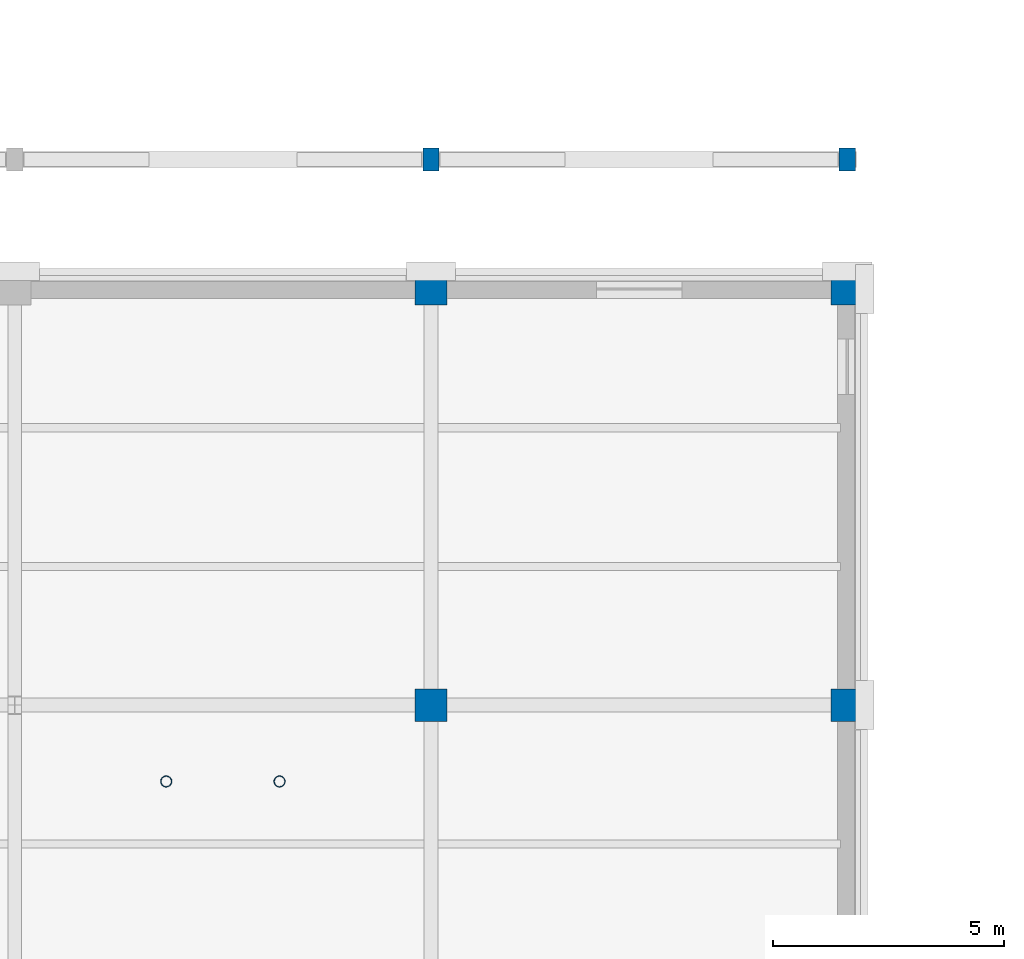
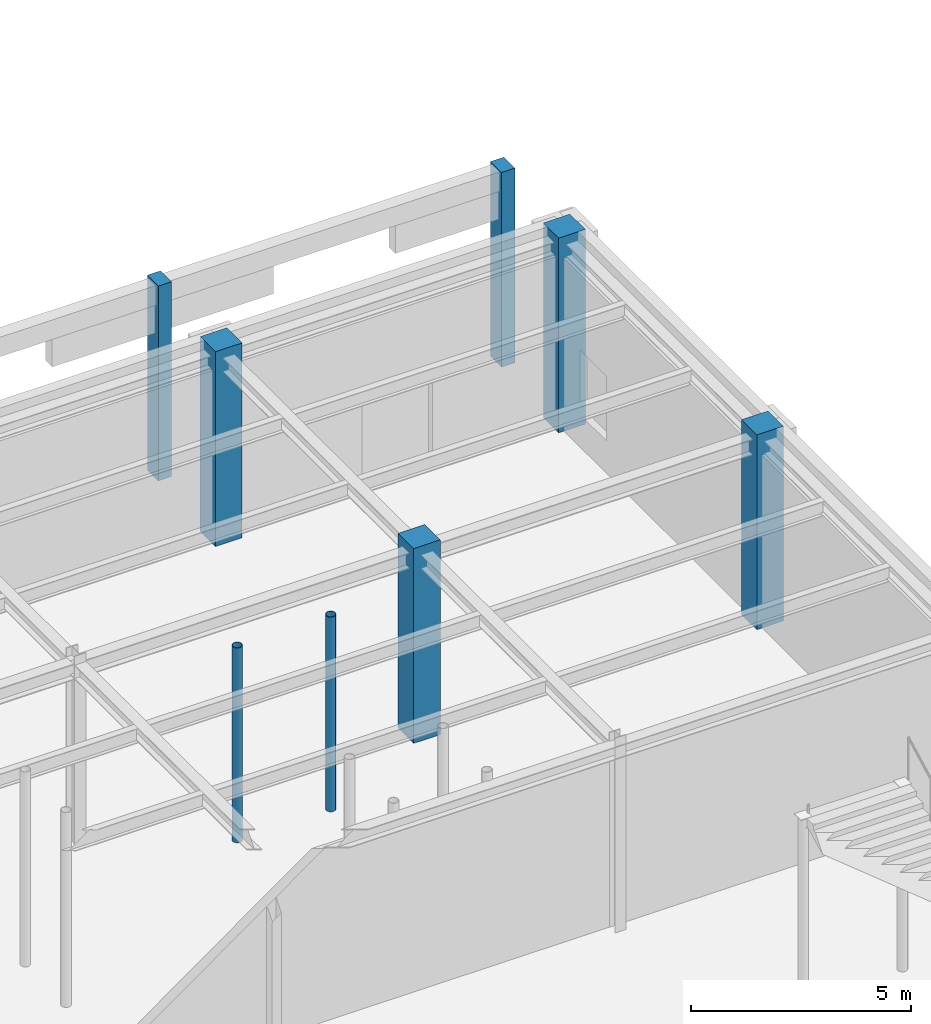
# One storey, part 13 of 77: 8 columns.
"""IFC4 building model written with IfcOpenShell, lengths in metres."""

import ifcopenshell
import ifcopenshell.guid

model = None  # the IFC model being written
_history = None  # IfcOwnerHistory: only IFC2X3 demands one
_inside = {}  # id of a spatial element -> (the spatial element, [elements in it])
_under = {}  # id of a project, library or spatial element -> (it, [spatial elements below it])
_declared = {}  # id of a project -> (the project, [libraries it declares])
_typed = {}  # id of a type object -> (the type object, [elements of that type])
_made_of = {}  # id of a material, layer set ... -> (it, [elements and type objects made of it])


def new_model(schema):
    """Start an empty IFC model of exactly this schema.

    Asked for "IFC4X3", IfcOpenShell would pick the latest addendum, in which some entities
    have other attributes; the version numbers below select the first issue.
    IFC2X3 requires an IfcOwnerHistory on every rooted entity: one is made here for all.
    """
    global model, _history
    if schema == "IFC4X3":
        model = ifcopenshell.file(schema_version=(4, 3, 0, 0))
    else:
        model = ifcopenshell.file(schema=schema)
    _inside.clear()
    _under.clear()
    _declared.clear()
    _typed.clear()
    _made_of.clear()
    _history = None
    if model.schema == "IFC2X3":
        org = make("IfcOrganization", Name="unknown")
        user = make(
            "IfcPersonAndOrganization",
            ThePerson=make("IfcPerson", FamilyName="unknown"),
            TheOrganization=org,
        )
        app = make(
            "IfcApplication",
            ApplicationDeveloper=org,
            Version="unknown",
            ApplicationFullName="unknown",
            ApplicationIdentifier="unknown",
        )
        _history = make(
            "IfcOwnerHistory",
            OwningUser=user,
            OwningApplication=app,
            ChangeAction="ADDED",
            CreationDate=0,
        )
    return model


def make(cls, **values):
    """One entity of the class cls with the attributes given. An attribute that is None is left unset."""
    return model.create_entity(
        cls, **{name: value for name, value in values.items() if value is not None}
    )


def rooted(cls, **values):
    """An entity with a GlobalId (a new one), such as an element, a storey or a relation."""
    return make(cls, GlobalId=ifcopenshell.guid.new(), OwnerHistory=_history, **values)


def si_unit(unit_type, name, prefix=None):
    """IfcSIUnit, for example si_unit("LENGTHUNIT", "METRE", prefix="MILLI")."""
    return make("IfcSIUnit", UnitType=unit_type, Prefix=prefix, Name=name)


def assignment(units):
    """IfcUnitAssignment: the units of a project."""
    return None if units is None else make("IfcUnitAssignment", Units=units)


def point(xyz):
    """IfcCartesianPoint."""
    return None if xyz is None else make("IfcCartesianPoint", Coordinates=xyz)


def direction(xyz):
    """IfcDirection."""
    return None if xyz is None else make("IfcDirection", DirectionRatios=xyz)


def frame(location, z_axis=None, x_axis=None):
    """IfcAxis2Placement3D, a coordinate frame: its origin and axes. An axis left out is left unset."""
    return make(
        "IfcAxis2Placement3D",
        Location=point(location),
        Axis=direction(z_axis),
        RefDirection=direction(x_axis),
    )


def frame_2d(location, x_axis=None):
    """IfcAxis2Placement2D, a coordinate frame in the plane: its origin and x axis."""
    return make(
        "IfcAxis2Placement2D", Location=point(location), RefDirection=direction(x_axis)
    )


def origin():
    """The frame at (0, 0, 0) with its axes left unset."""
    return frame((0.0, 0.0, 0.0))


def origin_2d():
    """The frame at (0, 0) in the plane with its x axis left unset."""
    return frame_2d((0.0, 0.0))


def place(relative_to, where):
    """IfcLocalPlacement: puts the frame where relative to a parent placement (None: the world)."""
    return make(
        "IfcLocalPlacement", PlacementRelTo=relative_to, RelativePlacement=where
    )


def context(
    kind, dimensions, precision=None, world=None, true_north=None, identifier=None
):
    """IfcGeometricRepresentationContext, for example the 3D "Model" context."""
    return make(
        "IfcGeometricRepresentationContext",
        ContextIdentifier=identifier,
        ContextType=kind,
        CoordinateSpaceDimension=dimensions,
        Precision=precision,
        WorldCoordinateSystem=world,
        TrueNorth=true_north,
    )


def subcontext(parent, identifier, kind, view, scale=None):
    """IfcGeometricRepresentationSubContext, for example "Body" below "Model"."""
    return make(
        "IfcGeometricRepresentationSubContext",
        ContextIdentifier=identifier,
        ContextType=kind,
        ParentContext=parent,
        TargetScale=scale,
        TargetView=view,
    )


def project(units=None, contexts=None):
    """IfcProject with its units and contexts."""
    return rooted(
        "IfcProject",
        Name="project",
        RepresentationContexts=contexts,
        UnitsInContext=assignment(units),
    )


def spatial(cls, under=None, at=None, **own):
    """A site, building, storey or space (cls), placed at a placement, below another one or the project."""
    s = rooted(cls, ObjectPlacement=at, **own)
    if under is not None:
        _under.setdefault(under.id(), (under, []))[1].append(s)
    return s


def profile(cls, at=None, kind="AREA", **sizes):
    """A parametric profile (cls). Its sizes go by their IFC names, for example OverallWidth=200.0."""
    return make(cls, ProfileType=kind, Position=at, **sizes)


def rectangle(**sizes):
    """IfcRectangleProfileDef."""
    return profile("IfcRectangleProfileDef", **sizes)


def hollow_circle(**sizes):
    """IfcCircleHollowProfileDef."""
    return profile("IfcCircleHollowProfileDef", **sizes)


def extrude(swept, where, along, depth):
    """IfcExtrudedAreaSolid: the profile swept, set in the frame where, extruded along a direction by depth."""
    return make(
        "IfcExtrudedAreaSolid",
        SweptArea=swept,
        Position=where,
        ExtrudedDirection=direction(along),
        Depth=depth,
    )


def shape(context_of_items, identifier, shape_type, items):
    """IfcShapeRepresentation: the items that make up one representation, for example the "Body"."""
    return make(
        "IfcShapeRepresentation",
        ContextOfItems=context_of_items,
        RepresentationIdentifier=identifier,
        RepresentationType=shape_type,
        Items=items,
    )


def material(Name=None, Category=None):
    """IfcMaterial."""
    return make("IfcMaterial", Name=Name, Category=Category)


def material_profile(
    of_material, cross_section, Name=None, Category=None, Priority=None
):
    """IfcMaterialProfile: a cross section and its material."""
    return make(
        "IfcMaterialProfile",
        Name=Name,
        Material=of_material,
        Profile=cross_section,
        Priority=Priority,
        Category=Category,
    )


def profile_set(profiles, Name=None, composite=None):
    """IfcMaterialProfileSet."""
    return make(
        "IfcMaterialProfileSet",
        Name=Name,
        MaterialProfiles=profiles,
        CompositeProfile=composite,
    )


def made_of(thing, what):
    """Note that an element or type object is made of a material, layer set ...; save() writes the relation."""
    if what is not None:
        _made_of.setdefault(what.id(), (what, []))[1].append(thing)
    return thing


def type_object(cls, material=None, **own):
    """A type object (cls), such as IfcWallType, which elements share."""
    return made_of(rooted(cls, **own), material)


def element(
    cls,
    number,
    at=None,
    inside=None,
    cuts=None,
    type_object=None,
    material=None,
    context=None,
    identifier="Body",
    shape_type=None,
    held_by="IfcProductDefinitionShape",
    body=None,
    shapes=None,
    **own,
):
    """One element of the class cls, such as IfcWall. Its Tag is "e" and its number.

    at: its placement. inside: the storey or other place that contains it. cuts: it is an
    opening in that element (IfcRelVoidsElement). A single representation is given by context,
    identifier, shape_type and body (its items); several are given by shapes. held_by: the class
    of the entity that holds the representations. save() writes the other relations.
    """
    e = rooted(cls, Tag="e%d" % number, ObjectPlacement=at, **own)
    if body is not None:
        shapes = [shape(context, identifier, shape_type, body)]
    if shapes is not None:
        e.Representation = make(held_by, Representations=shapes)
    if inside is not None:
        _inside.setdefault(inside.id(), (inside, []))[1].append(e)
    if cuts is not None:
        rooted(
            "IfcRelVoidsElement", RelatingBuildingElement=cuts, RelatedOpeningElement=e
        )
    if type_object is not None:
        _typed.setdefault(type_object.id(), (type_object, []))[1].append(e)
    return made_of(e, material)


def aggregate(whole, parts):
    """IfcRelAggregates: a whole, such as a stair, and the parts it consists of."""
    return rooted("IfcRelAggregates", RelatingObject=whole, RelatedObjects=parts)


def save(model, path):
    """Write the relations noted so far, then the file.

    IfcRelAggregates (storeys below a building ...), IfcRelContainedInSpatialStructure (elements
    in a storey), IfcRelDefinesByType, IfcRelAssociatesMaterial and IfcRelDeclares: one each for
    every whole, place, type object, material and project.
    """
    for whole, parts in _under.values():
        aggregate(whole, parts)
    for where, things in _inside.values():
        rooted(
            "IfcRelContainedInSpatialStructure",
            RelatedElements=things,
            RelatingStructure=where,
        )
    for kind, things in _typed.values():
        rooted("IfcRelDefinesByType", RelatedObjects=things, RelatingType=kind)
    for what, things in _made_of.values():
        rooted("IfcRelAssociatesMaterial", RelatedObjects=things, RelatingMaterial=what)
    for by, libraries in _declared.values():
        rooted("IfcRelDeclares", RelatingContext=by, RelatedDefinitions=libraries)
    model.write(path)


model = new_model("IFC4")

# Units and contexts
model_context = context("Model", 3, precision=1e-05, world=origin(), true_north=direction((0.0, 1.0)))
body_context = subcontext(model_context, "Body", "Model", "MODEL_VIEW")
ifc_project = project(units=[si_unit("LENGTHUNIT", "METRE"), si_unit("AREAUNIT", "SQUARE_METRE"), si_unit("VOLUMEUNIT", "CUBIC_METRE"), si_unit("PLANEANGLEUNIT", "RADIAN"), si_unit("MASSUNIT", "GRAM", prefix="KILO")], contexts=[model_context])

# Site, building, storey
site_placement = place(None, origin())
site = spatial("IfcSite", under=ifc_project, at=site_placement, CompositionType="ELEMENT")
building_placement = place(site_placement, origin())
building = spatial("IfcBuilding", under=site, at=building_placement, Name="Lykobir Media Centre", CompositionType="ELEMENT")
storey_placement = place(building_placement, origin())
storey = spatial("IfcBuildingStorey", under=building, at=storey_placement, Name="L00", CompositionType="ELEMENT", Elevation=0.0)

# Columns
ifc_material_1 = material(Name="Honed Travertine Stone", Category="masonry")
ifc_material_profile_1 = material_profile(ifc_material_1, rectangle(XDim=0.35009765625, YDim=0.5, at=origin_2d()), Name="RC PILASTER 500x350")
ifc_profile_set_1 = profile_set([ifc_material_profile_1], Name="Honed Travertine Stone")
column_type_1 = type_object("IfcColumnType", Name="PIL-500", PredefinedType="PILASTER", material=ifc_profile_set_1)
for number, where, z_axis, x_axis, name in (
    (1, (72.0, 110.800048828125, 0.0), (0.0, 0.0, 1.0), (1.0, 0.0, 0.0), "North Revak L00 portico pier 72.0"),
    (2, (81.0, 110.800048828125, 0.0), (0.0, 0.0, 1.0), (1.0, 0.0, 0.0), "North Revak L00 portico pier 81.0"),
):
    element("IfcColumn", number, at=place(storey_placement, frame(where, z_axis=z_axis, x_axis=x_axis)), inside=storey, type_object=column_type_1, Name=name, PredefinedType="PILASTER", context=body_context, shape_type="SweptSolid", body=[
        extrude(rectangle(XDim=0.35009765625, YDim=0.5, at=origin_2d()), origin(), (0.0, 0.0, 1.0), 5.39990234375),
    ])
ifc_material_2 = material(Name="Concrete C40/50", Category="concrete")
ifc_material_profile_2 = material_profile(ifc_material_2, rectangle(XDim=0.699951171875, YDim=0.699951171875, at=origin_2d()), Name="RC 700x700")
ifc_profile_set_2 = profile_set([ifc_material_profile_2], Name="Concrete C40/50")
column_type_2 = type_object("IfcColumnType", Name="RC-C700", PredefinedType="COLUMN", material=ifc_profile_set_2)
column_placement = place(storey_placement, frame((72.0, 99.0, 0.0), z_axis=(0.0, 0.0, 1.0), x_axis=(1.0, 0.0, 0.0)))
element("IfcColumn", 3, at=column_placement, inside=storey, type_object=column_type_2, Name="Column COL-L00-0720-0990", PredefinedType="COLUMN", context=body_context, shape_type="SweptSolid", body=[
    extrude(rectangle(XDim=0.699951171875, YDim=0.699951171875, at=origin_2d()), origin(), (0.0, 0.0, 1.0), 5.39990234375),
])
ifc_material_profile_3 = material_profile(ifc_material_2, rectangle(XDim=0.699951171875, YDim=0.699951171875, at=origin_2d()), Name="RC 700x700")
ifc_profile_set_3 = profile_set([ifc_material_profile_3], Name="Concrete C40/50")
column_type_3 = type_object("IfcColumnType", Name="RC-C700-E", PredefinedType="COLUMN", material=ifc_profile_set_3)
for number, where, z_axis, x_axis, name in (
    (4, (72.0, 108.0, 0.0), (0.0, 0.0, 1.0), (1.0, 0.0, 0.0), "Column COL-L00-0720-1080"),
    (5, (81.0, 99.0, 0.0), (0.0, 0.0, 1.0), (1.0, 0.0, 0.0), "Column COL-L00-0810-0990"),
    (6, (81.0, 108.0, 0.0), (0.0, 0.0, 1.0), (1.0, 0.0, 0.0), "Column COL-L00-0810-1080"),
):
    element("IfcColumn", number, at=place(storey_placement, frame(where, z_axis=z_axis, x_axis=x_axis)), inside=storey, type_object=column_type_3, Name=name, PredefinedType="COLUMN", context=body_context, shape_type="SweptSolid", body=[
        extrude(rectangle(XDim=0.699951171875, YDim=0.699951171875, at=origin_2d()), origin(), (0.0, 0.0, 1.0), 5.39990234375),
    ])
ifc_material_3 = material(Name="Steel S355", Category="steel")
ifc_material_profile_4 = material_profile(ifc_material_3, hollow_circle(Radius=0.122314453125, WallThickness=0.012451171875, at=origin_2d()), Name="CHS 244.5x12.5")
ifc_profile_set_4 = profile_set([ifc_material_profile_4], Name="Steel S355")
column_type_4 = type_object("IfcColumnType", Name="SC-CHS244", PredefinedType="COLUMN", material=ifc_profile_set_4)
for number, where, z_axis, x_axis, name in (
    (7, (66.27490234375, 97.35009765625, 0.0), (0.0, 0.0, 1.0), (1.0, 0.0, 0.0), "Valley arrival column L00 A2-663"),
    (8, (68.72509765625, 97.35009765625, 0.0), (0.0, 0.0, 1.0), (1.0, 0.0, 0.0), "Valley arrival column L00 A2-687"),
):
    element("IfcColumn", number, at=place(storey_placement, frame(where, z_axis=z_axis, x_axis=x_axis)), inside=storey, type_object=column_type_4, Name=name, PredefinedType="COLUMN", context=body_context, shape_type="SweptSolid", body=[
        extrude(hollow_circle(Radius=0.122314453125, WallThickness=0.012451171875, at=origin_2d()), origin(), (0.0, 0.0, 1.0), 5.39990234375),
    ])

save(model, "model.ifc")
